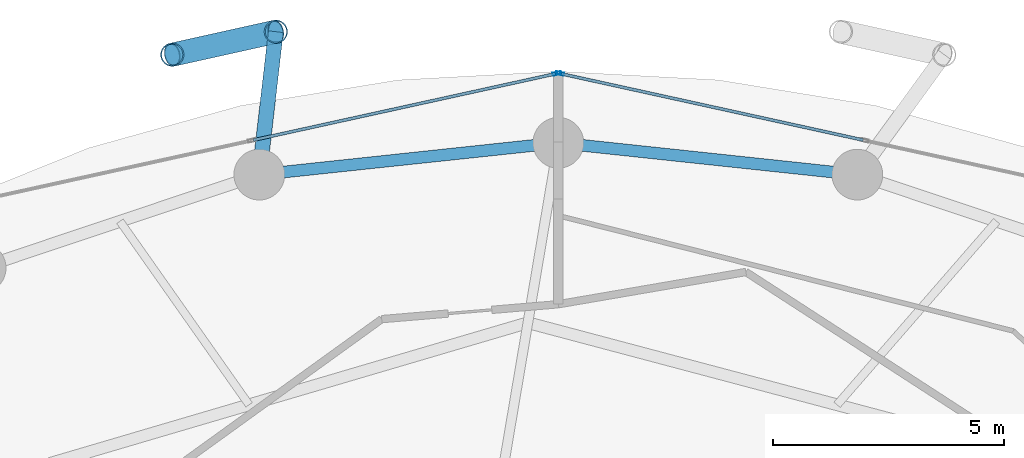
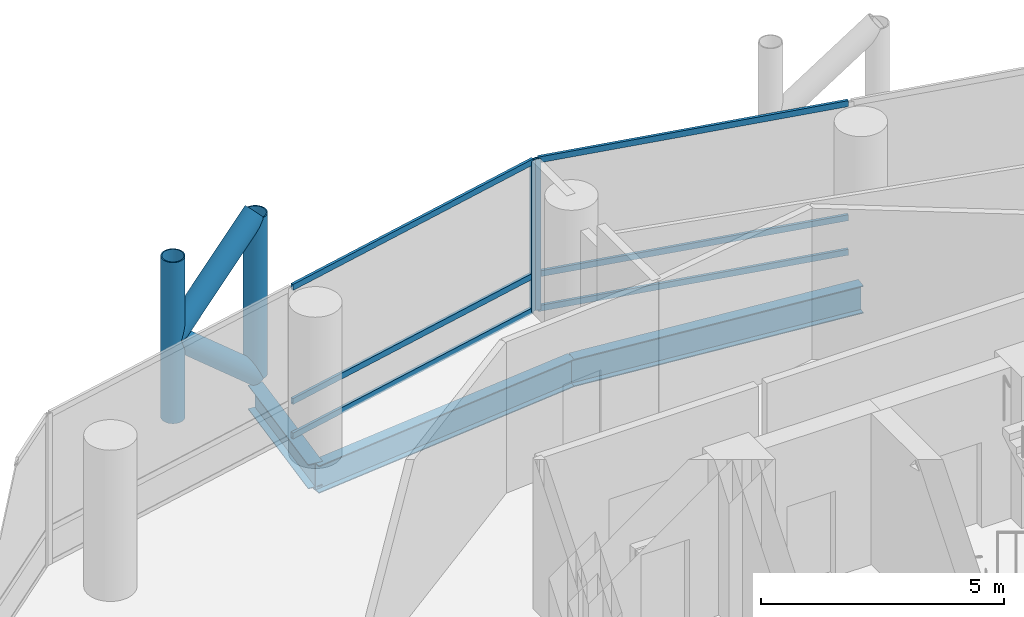
# One storey, part 16 of 24: 12 members, 3 beams, 2 elements without a shape of their own.
"""IFC4 building model written with IfcOpenShell, lengths in metres."""

import ifcopenshell
import ifcopenshell.guid

model = None  # the IFC model being written
_history = None  # IfcOwnerHistory: only IFC2X3 demands one
_inside = {}  # id of a spatial element -> (the spatial element, [elements in it])
_under = {}  # id of a project, library or spatial element -> (it, [spatial elements below it])
_declared = {}  # id of a project -> (the project, [libraries it declares])
_typed = {}  # id of a type object -> (the type object, [elements of that type])
_made_of = {}  # id of a material, layer set ... -> (it, [elements and type objects made of it])


def new_model(schema):
    """Start an empty IFC model of exactly this schema.

    Asked for "IFC4X3", IfcOpenShell would pick the latest addendum, in which some entities
    have other attributes; the version numbers below select the first issue.
    IFC2X3 requires an IfcOwnerHistory on every rooted entity: one is made here for all.
    """
    global model, _history
    if schema == "IFC4X3":
        model = ifcopenshell.file(schema_version=(4, 3, 0, 0))
    else:
        model = ifcopenshell.file(schema=schema)
    _inside.clear()
    _under.clear()
    _declared.clear()
    _typed.clear()
    _made_of.clear()
    _history = None
    if model.schema == "IFC2X3":
        org = make("IfcOrganization", Name="unknown")
        user = make(
            "IfcPersonAndOrganization",
            ThePerson=make("IfcPerson", FamilyName="unknown"),
            TheOrganization=org,
        )
        app = make(
            "IfcApplication",
            ApplicationDeveloper=org,
            Version="unknown",
            ApplicationFullName="unknown",
            ApplicationIdentifier="unknown",
        )
        _history = make(
            "IfcOwnerHistory",
            OwningUser=user,
            OwningApplication=app,
            ChangeAction="ADDED",
            CreationDate=0,
        )
    return model


def make(cls, **values):
    """One entity of the class cls with the attributes given. An attribute that is None is left unset."""
    return model.create_entity(
        cls, **{name: value for name, value in values.items() if value is not None}
    )


def rooted(cls, **values):
    """An entity with a GlobalId (a new one), such as an element, a storey or a relation."""
    return make(cls, GlobalId=ifcopenshell.guid.new(), OwnerHistory=_history, **values)


def si_unit(unit_type, name, prefix=None):
    """IfcSIUnit, for example si_unit("LENGTHUNIT", "METRE", prefix="MILLI")."""
    return make("IfcSIUnit", UnitType=unit_type, Prefix=prefix, Name=name)


def assignment(units):
    """IfcUnitAssignment: the units of a project."""
    return None if units is None else make("IfcUnitAssignment", Units=units)


def point(xyz):
    """IfcCartesianPoint."""
    return None if xyz is None else make("IfcCartesianPoint", Coordinates=xyz)


def direction(xyz):
    """IfcDirection."""
    return None if xyz is None else make("IfcDirection", DirectionRatios=xyz)


def frame(location, z_axis=None, x_axis=None):
    """IfcAxis2Placement3D, a coordinate frame: its origin and axes. An axis left out is left unset."""
    return make(
        "IfcAxis2Placement3D",
        Location=point(location),
        Axis=direction(z_axis),
        RefDirection=direction(x_axis),
    )


def frame_2d(location, x_axis=None):
    """IfcAxis2Placement2D, a coordinate frame in the plane: its origin and x axis."""
    return make(
        "IfcAxis2Placement2D", Location=point(location), RefDirection=direction(x_axis)
    )


def origin():
    """The frame at (0, 0, 0) with its axes left unset."""
    return frame((0.0, 0.0, 0.0))


def origin_2d():
    """The frame at (0, 0) in the plane with its x axis left unset."""
    return frame_2d((0.0, 0.0))


def place(relative_to, where):
    """IfcLocalPlacement: puts the frame where relative to a parent placement (None: the world)."""
    return make(
        "IfcLocalPlacement", PlacementRelTo=relative_to, RelativePlacement=where
    )


def context(
    kind, dimensions, precision=None, world=None, true_north=None, identifier=None
):
    """IfcGeometricRepresentationContext, for example the 3D "Model" context."""
    return make(
        "IfcGeometricRepresentationContext",
        ContextIdentifier=identifier,
        ContextType=kind,
        CoordinateSpaceDimension=dimensions,
        Precision=precision,
        WorldCoordinateSystem=world,
        TrueNorth=true_north,
    )


def subcontext(parent, identifier, kind, view, scale=None):
    """IfcGeometricRepresentationSubContext, for example "Body" below "Model"."""
    return make(
        "IfcGeometricRepresentationSubContext",
        ContextIdentifier=identifier,
        ContextType=kind,
        ParentContext=parent,
        TargetScale=scale,
        TargetView=view,
    )


def project(units=None, contexts=None):
    """IfcProject with its units and contexts."""
    return rooted(
        "IfcProject",
        Name="project",
        RepresentationContexts=contexts,
        UnitsInContext=assignment(units),
    )


def spatial(cls, under=None, at=None, **own):
    """A site, building, storey or space (cls), placed at a placement, below another one or the project."""
    s = rooted(cls, ObjectPlacement=at, **own)
    if under is not None:
        _under.setdefault(under.id(), (under, []))[1].append(s)
    return s


def profile(cls, at=None, kind="AREA", **sizes):
    """A parametric profile (cls). Its sizes go by their IFC names, for example OverallWidth=200.0."""
    return make(cls, ProfileType=kind, Position=at, **sizes)


def hollow_rectangle(**sizes):
    """IfcRectangleHollowProfileDef."""
    return profile("IfcRectangleHollowProfileDef", **sizes)


def hollow_circle(**sizes):
    """IfcCircleHollowProfileDef."""
    return profile("IfcCircleHollowProfileDef", **sizes)


def i_section(**sizes):
    """IfcIShapeProfileDef."""
    return profile("IfcIShapeProfileDef", **sizes)


def extrude(swept, where, along, depth):
    """IfcExtrudedAreaSolid: the profile swept, set in the frame where, extruded along a direction by depth."""
    return make(
        "IfcExtrudedAreaSolid",
        SweptArea=swept,
        Position=where,
        ExtrudedDirection=direction(along),
        Depth=depth,
    )


def shape(context_of_items, identifier, shape_type, items):
    """IfcShapeRepresentation: the items that make up one representation, for example the "Body"."""
    return make(
        "IfcShapeRepresentation",
        ContextOfItems=context_of_items,
        RepresentationIdentifier=identifier,
        RepresentationType=shape_type,
        Items=items,
    )


def material(Name=None, Category=None):
    """IfcMaterial."""
    return make("IfcMaterial", Name=Name, Category=Category)


def layer(
    of_material, thickness, ventilated=None, Name=None, Category=None, Priority=None
):
    """IfcMaterialLayer: one layer of a wall or slab, of a material (None: an air gap)."""
    return make(
        "IfcMaterialLayer",
        Material=of_material,
        LayerThickness=thickness,
        IsVentilated=ventilated,
        Name=Name,
        Category=Category,
        Priority=Priority,
    )


def layer_set(layers, Name=None):
    """IfcMaterialLayerSet."""
    return make("IfcMaterialLayerSet", MaterialLayers=layers, LayerSetName=Name)


def material_profile(
    of_material, cross_section, Name=None, Category=None, Priority=None
):
    """IfcMaterialProfile: a cross section and its material."""
    return make(
        "IfcMaterialProfile",
        Name=Name,
        Material=of_material,
        Profile=cross_section,
        Priority=Priority,
        Category=Category,
    )


def profile_set(profiles, Name=None, composite=None):
    """IfcMaterialProfileSet."""
    return make(
        "IfcMaterialProfileSet",
        Name=Name,
        MaterialProfiles=profiles,
        CompositeProfile=composite,
    )


def made_of(thing, what):
    """Note that an element or type object is made of a material, layer set ...; save() writes the relation."""
    if what is not None:
        _made_of.setdefault(what.id(), (what, []))[1].append(thing)
    return thing


def type_object(cls, material=None, **own):
    """A type object (cls), such as IfcWallType, which elements share."""
    return made_of(rooted(cls, **own), material)


def element(
    cls,
    number,
    at=None,
    inside=None,
    cuts=None,
    type_object=None,
    material=None,
    context=None,
    identifier="Body",
    shape_type=None,
    held_by="IfcProductDefinitionShape",
    body=None,
    shapes=None,
    **own,
):
    """One element of the class cls, such as IfcWall. Its Tag is "e" and its number.

    at: its placement. inside: the storey or other place that contains it. cuts: it is an
    opening in that element (IfcRelVoidsElement). A single representation is given by context,
    identifier, shape_type and body (its items); several are given by shapes. held_by: the class
    of the entity that holds the representations. save() writes the other relations.
    """
    e = rooted(cls, Tag="e%d" % number, ObjectPlacement=at, **own)
    if body is not None:
        shapes = [shape(context, identifier, shape_type, body)]
    if shapes is not None:
        e.Representation = make(held_by, Representations=shapes)
    if inside is not None:
        _inside.setdefault(inside.id(), (inside, []))[1].append(e)
    if cuts is not None:
        rooted(
            "IfcRelVoidsElement", RelatingBuildingElement=cuts, RelatedOpeningElement=e
        )
    if type_object is not None:
        _typed.setdefault(type_object.id(), (type_object, []))[1].append(e)
    return made_of(e, material)


def aggregate(whole, parts):
    """IfcRelAggregates: a whole, such as a stair, and the parts it consists of."""
    return rooted("IfcRelAggregates", RelatingObject=whole, RelatedObjects=parts)


def save(model, path):
    """Write the relations noted so far, then the file.

    IfcRelAggregates (storeys below a building ...), IfcRelContainedInSpatialStructure (elements
    in a storey), IfcRelDefinesByType, IfcRelAssociatesMaterial and IfcRelDeclares: one each for
    every whole, place, type object, material and project.
    """
    for whole, parts in _under.values():
        aggregate(whole, parts)
    for where, things in _inside.values():
        rooted(
            "IfcRelContainedInSpatialStructure",
            RelatedElements=things,
            RelatingStructure=where,
        )
    for kind, things in _typed.values():
        rooted("IfcRelDefinesByType", RelatedObjects=things, RelatingType=kind)
    for what, things in _made_of.values():
        rooted("IfcRelAssociatesMaterial", RelatedObjects=things, RelatingMaterial=what)
    for by, libraries in _declared.values():
        rooted("IfcRelDeclares", RelatingContext=by, RelatedDefinitions=libraries)
    model.write(path)


model = new_model("IFC4")

# Units and contexts
model_context = context("Model", 3, precision=1e-05, world=origin(), true_north=direction((0.0, 1.0)))
body_context = subcontext(model_context, "Body", "Model", "MODEL_VIEW")
ifc_project = project(units=[si_unit("LENGTHUNIT", "METRE"), si_unit("AREAUNIT", "SQUARE_METRE"), si_unit("VOLUMEUNIT", "CUBIC_METRE"), si_unit("PLANEANGLEUNIT", "RADIAN"), si_unit("MASSUNIT", "GRAM", prefix="KILO")], contexts=[model_context])

# Site, building, storey
site_placement = place(None, origin())
site = spatial("IfcSite", under=ifc_project, at=site_placement, CompositionType="ELEMENT")
building_placement = place(site_placement, origin())
building = spatial("IfcBuilding", under=site, at=building_placement, Name="Nuhasar Tower", CompositionType="ELEMENT")
storey_placement = place(building_placement, frame((0.0, 0.0, 73.64990234375)))
storey = spatial("IfcBuildingStorey", under=building, at=storey_placement, Name="L17", CompositionType="ELEMENT", Elevation=73.64990234375)

# Beams
ifc_material_1 = material(Name="Steel S355", Category="steel")
ifc_material_profile_1 = material_profile(ifc_material_1, i_section(OverallWidth=0.256103515625, OverallDepth=0.693115234375, WebThickness=0.014404296875, FlangeThickness=0.023681640625, at=origin_2d()), Name="W27X114")
ifc_profile_set_1 = profile_set([ifc_material_profile_1], Name="Steel S355")
beam_type_1 = type_object("IfcBeamType", Name="BM-RING-W27X114", PredefinedType="SPANDREL", material=ifc_profile_set_1)
for number, where, z_axis, x_axis, name in (
    (1, (45.48291015625, 46.360107421875, -0.596923828125), (-0.994384554061, 0.105827022286, 0.0), (-0.105827022286, -0.994384554061, 0.0), "L17 Perimeter Ring Spandrel 06"),
    (2, (39.0, 47.050048828125, -0.596923828125), (-0.994384554061, -0.105827022286, 0.0), (0.105827022286, -0.994384554061, 0.0), "L17 Perimeter Ring Spandrel 07"),
):
    element("IfcBeam", number, at=place(storey_placement, frame(where, z_axis=z_axis, x_axis=x_axis)), inside=storey, type_object=beam_type_1, Name=name, PredefinedType="SPANDREL", context=body_context, shape_type="SweptSolid", body=[
        extrude(i_section(OverallWidth=0.256103515625, OverallDepth=0.693115234375, WebThickness=0.014404296875, FlangeThickness=0.023681640625, at=origin_2d()), origin(), (0.0, 0.0, 1.0), 6.51953125),
    ])
ifc_material_profile_2 = material_profile(ifc_material_1, i_section(OverallWidth=0.323974609375, OverallDepth=0.611083984375, WebThickness=0.0126953125, FlangeThickness=0.01904296875, at=origin_2d()), Name="W24X104")
ifc_profile_set_2 = profile_set([ifc_material_profile_2], Name="Steel S355")
beam_type_2 = type_object("IfcBeamType", Name="BM-TIE-W24X104", PredefinedType="BEAM", material=ifc_profile_set_2)
beam_placement = place(storey_placement, frame((32.51708984375, 46.360107421875, -0.554931640625), z_axis=(0.115042934281, 0.993360520291, 0.0), x_axis=(-0.993360520291, 0.115042934281, 0.0)))
element("IfcBeam", 3, at=beam_placement, inside=storey, type_object=beam_type_2, Name="L17 Exoskeleton Node Tie Beam 04", PredefinedType="BEAM", context=body_context, shape_type="SweptSolid", body=[
    extrude(i_section(OverallWidth=0.323974609375, OverallDepth=0.611083984375, WebThickness=0.0126953125, FlangeThickness=0.01904296875, at=origin_2d()), origin(), (0.0, 0.0, 1.0), 3.11962890625),
])

# Curtain wall, member
ifc_material_2 = material(Name="Aluminium 6063-T6", Category="aluminium")
ifc_layer = layer(ifc_material_2, 0.199951171875)
ifc_layer_set = layer_set([ifc_layer], Name="Aluminium 6063-T6")
curtain_wall_type = type_object("IfcCurtainWallType", Name="CW-Z1-OFF", PredefinedType="NOTDEFINED", material=ifc_layer_set)
curtain_wall_1_placement = place(storey_placement, origin())
curtain_wall_1 = element("IfcCurtainWall", 4, at=curtain_wall_1_placement, inside=storey, type_object=curtain_wall_type, Name="L17 Unitised Curtain Wall 03", PredefinedType="NOTDEFINED")
ifc_material_profile_3 = material_profile(ifc_material_2, hollow_rectangle(XDim=0.06494140625, YDim=0.179931640625, WallThickness=0.0048828125, at=origin_2d()), Name="CWM-2")
ifc_profile_set_3 = profile_set([ifc_material_profile_3], Name="Aluminium 6063-T6")
member_type_1 = type_object("IfcMemberType", Name="CW-MUL-S2", PredefinedType="MULLION", material=ifc_profile_set_3)
member_1_placement = place(storey_placement, frame((39.03173828125, 48.552978515625, 0.0), z_axis=(0.0, 0.0, 1.0), x_axis=(-0.214398737637, -0.976746221544, 0.0)))
member_1 = element("IfcMember", 5, at=member_1_placement, type_object=member_type_1, Name="CW-Z1 mullion 3", PredefinedType="MULLION", context=body_context, shape_type="SweptSolid", body=[
    extrude(hollow_rectangle(XDim=0.06494140625, YDim=0.179931640625, WallThickness=0.0048828125, at=origin_2d()), origin(), (0.0, 0.0, 1.0), 3.800048828125),
])

curtain_wall_2_placement = place(storey_placement, origin())
curtain_wall_2 = element("IfcCurtainWall", 6, at=curtain_wall_2_placement, inside=storey, type_object=curtain_wall_type, Name="L17 Unitised Curtain Wall 04", PredefinedType="NOTDEFINED")
member_2_placement = place(storey_placement, frame((38.96826171875, 48.552978515625, 0.0), z_axis=(0.0, 0.0, 1.0), x_axis=(0.214398737637, -0.976746221544, 0.0)))
member_2 = element("IfcMember", 7, at=member_2_placement, type_object=member_type_1, Name="CW-Z1 mullion 1", PredefinedType="MULLION", context=body_context, shape_type="SweptSolid", body=[
    extrude(hollow_rectangle(XDim=0.06494140625, YDim=0.179931640625, WallThickness=0.0048828125, at=origin_2d()), origin(), (0.0, 0.0, 1.0), 3.800048828125),
])

# Member
ifc_material_profile_4 = material_profile(ifc_material_2, hollow_rectangle(XDim=0.06494140625, YDim=0.14990234375, WallThickness=0.00439453125, at=origin_2d()), Name="CWT-2")
ifc_profile_set_4 = profile_set([ifc_material_profile_4], Name="Aluminium 6063-T6")
member_type_2 = type_object("IfcMemberType", Name="CW-TRN-S2", PredefinedType="USERDEFINED", material=ifc_profile_set_4)
member_3_placement = place(storey_placement, frame((45.608154296875, 47.109375, 0.03271484375), z_axis=(-0.976740248595, 0.214425947065, 0.0), x_axis=(-0.214425947065, -0.976740248595, 0.0)))
member_3 = element("IfcMember", 8, at=member_3_placement, type_object=member_type_2, Name="CW-Z1 transom 2.1", ObjectType="TRANSOM", PredefinedType="USERDEFINED", context=body_context, shape_type="SweptSolid", body=[
    extrude(hollow_rectangle(XDim=0.06494140625, YDim=0.14990234375, WallThickness=0.00439453125, at=origin_2d()), origin(), (0.0, 0.0, 1.0), 6.700439453125),
])

member_4_placement = place(storey_placement, frame((45.608154296875, 47.109375, 0.900146484375), z_axis=(-0.976740248595, 0.214425947065, 0.0), x_axis=(-0.214425947065, -0.976740248595, 0.0)))
member_4 = element("IfcMember", 9, at=member_4_placement, type_object=member_type_2, Name="CW-Z1 transom 2.2", ObjectType="TRANSOM", PredefinedType="USERDEFINED", context=body_context, shape_type="SweptSolid", body=[
    extrude(hollow_rectangle(XDim=0.06494140625, YDim=0.14990234375, WallThickness=0.00439453125, at=origin_2d()), origin(), (0.0, 0.0, 1.0), 6.700439453125),
])

member_5_placement = place(storey_placement, frame((45.608154296875, 47.109375, 3.767578125), z_axis=(-0.976740248595, 0.214425947065, 0.0), x_axis=(-0.214425947065, -0.976740248595, 0.0)))
member_5 = element("IfcMember", 10, at=member_5_placement, type_object=member_type_2, Name="CW-Z1 transom 2.3", ObjectType="TRANSOM", PredefinedType="USERDEFINED", context=body_context, shape_type="SweptSolid", body=[
    extrude(hollow_rectangle(XDim=0.06494140625, YDim=0.14990234375, WallThickness=0.00439453125, at=origin_2d()), origin(), (0.0, 0.0, 1.0), 6.700439453125),
])

aggregate(curtain_wall_1, [member_1, member_3, member_4, member_5])

member_6_placement = place(storey_placement, frame((38.9365234375, 48.546142578125, 0.03271484375), z_axis=(-0.976740248595, -0.214425947065, 0.0), x_axis=(0.214425947065, -0.976740248595, 0.0)))
member_6 = element("IfcMember", 11, at=member_6_placement, type_object=member_type_2, Name="CW-Z1 transom 1.1", ObjectType="TRANSOM", PredefinedType="USERDEFINED", context=body_context, shape_type="SweptSolid", body=[
    extrude(hollow_rectangle(XDim=0.06494140625, YDim=0.14990234375, WallThickness=0.00439453125, at=origin_2d()), origin(), (0.0, 0.0, 1.0), 6.700439453125),
])

member_7_placement = place(storey_placement, frame((38.9365234375, 48.546142578125, 0.900146484375), z_axis=(-0.976740248595, -0.214425947065, 0.0), x_axis=(0.214425947065, -0.976740248595, 0.0)))
member_7 = element("IfcMember", 12, at=member_7_placement, type_object=member_type_2, Name="CW-Z1 transom 1.2", ObjectType="TRANSOM", PredefinedType="USERDEFINED", context=body_context, shape_type="SweptSolid", body=[
    extrude(hollow_rectangle(XDim=0.06494140625, YDim=0.14990234375, WallThickness=0.00439453125, at=origin_2d()), origin(), (0.0, 0.0, 1.0), 6.700439453125),
])

member_8_placement = place(storey_placement, frame((38.9365234375, 48.546142578125, 3.767578125), z_axis=(-0.976740248595, -0.214425947065, 0.0), x_axis=(0.214425947065, -0.976740248595, 0.0)))
member_8 = element("IfcMember", 13, at=member_8_placement, type_object=member_type_2, Name="CW-Z1 transom 1.3", ObjectType="TRANSOM", PredefinedType="USERDEFINED", context=body_context, shape_type="SweptSolid", body=[
    extrude(hollow_rectangle(XDim=0.06494140625, YDim=0.14990234375, WallThickness=0.00439453125, at=origin_2d()), origin(), (0.0, 0.0, 1.0), 6.700439453125),
])

aggregate(curtain_wall_2, [member_2, member_6, member_7, member_8])

# Members
ifc_material_3 = material(Name="Steel S460", Category="steel")
ifc_material_profile_5 = material_profile(ifc_material_3, hollow_circle(Radius=0.25390625, WallThickness=0.025390625, at=origin_2d()), Name="HSS508X25.4")
ifc_profile_set_5 = profile_set([ifc_material_profile_5], Name="Steel S460")
member_type_3 = type_object("IfcMemberType", Name="EXO-BRONZE-508", PredefinedType="BRACE", material=ifc_profile_set_5)
for number, where, z_axis, x_axis, name in (
    (14, (32.8759765625, 49.458984375, 0.0), (0.0, 0.0, 1.0), (1.0, 0.0, 0.0), "L17 Exoskeleton Chord Column EC-04A"),
    (15, (30.6298828125, 48.9599609375, 0.0), (0.0, 0.0, 1.0), (1.0, 0.0, 0.0), "L17 Exoskeleton Chord Column EC-04B"),
):
    element("IfcMember", number, at=place(storey_placement, frame(where, z_axis=z_axis, x_axis=x_axis)), inside=storey, type_object=member_type_3, Name=name, PredefinedType="BRACE", context=body_context, shape_type="SweptSolid", body=[
        extrude(hollow_circle(Radius=0.25390625, WallThickness=0.025390625, at=origin_2d()), origin(), (0.0, 0.0, 1.0), 4.050048828125),
    ])
member_9_placement = place(storey_placement, frame((32.8759765625, 49.458984375, 0.0), z_axis=(-0.732782908552, -0.162805246204, 0.660699372439), x_axis=(0.216885517571, -0.97619704582, 0.0)))
element("IfcMember", 16, at=member_9_placement, inside=storey, type_object=member_type_3, Name="L17 Bronze Diagrid Brace W1-04", PredefinedType="BRACE", context=body_context, shape_type="SweptSolid", body=[
    extrude(hollow_circle(Radius=0.25390625, WallThickness=0.025390625, at=origin_2d()), origin(), (0.0, 0.0, 1.0), 3.065185546875),
])
member_10_placement = place(storey_placement, frame((30.6298828125, 48.9599609375, 2.025146484375), z_axis=(0.732821471909, 0.162813813976, 0.660654487828), x_axis=(-0.216885517571, 0.97619704582, 0.0)))
element("IfcMember", 17, at=member_10_placement, inside=storey, type_object=member_type_3, Name="L17 Bronze Diagrid Brace W2-04", PredefinedType="BRACE", context=body_context, shape_type="SweptSolid", body=[
    extrude(hollow_circle(Radius=0.25390625, WallThickness=0.025390625, at=origin_2d()), origin(), (0.0, 0.0, 1.0), 3.06494140625),
])

save(model, "model.ifc")
